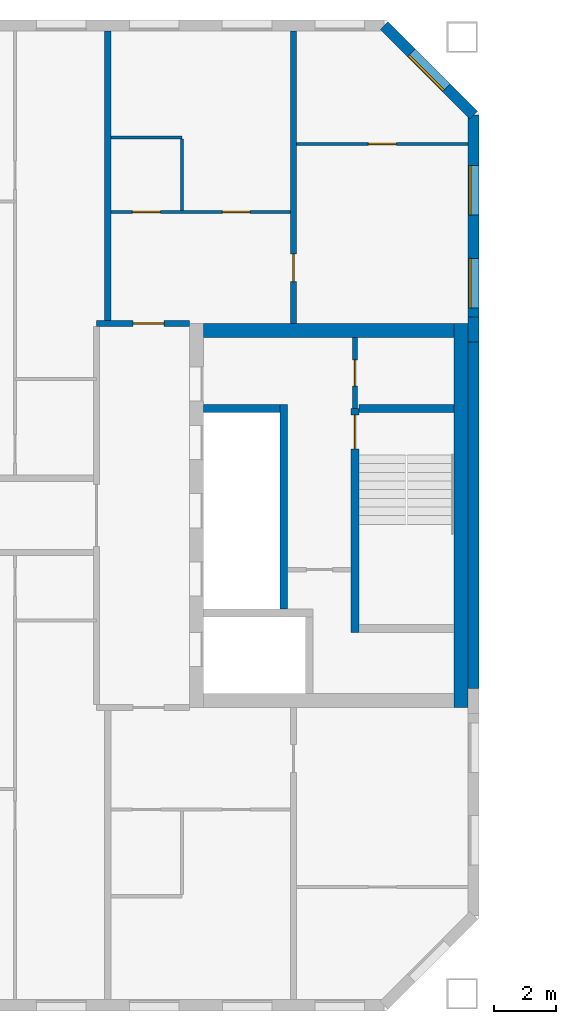
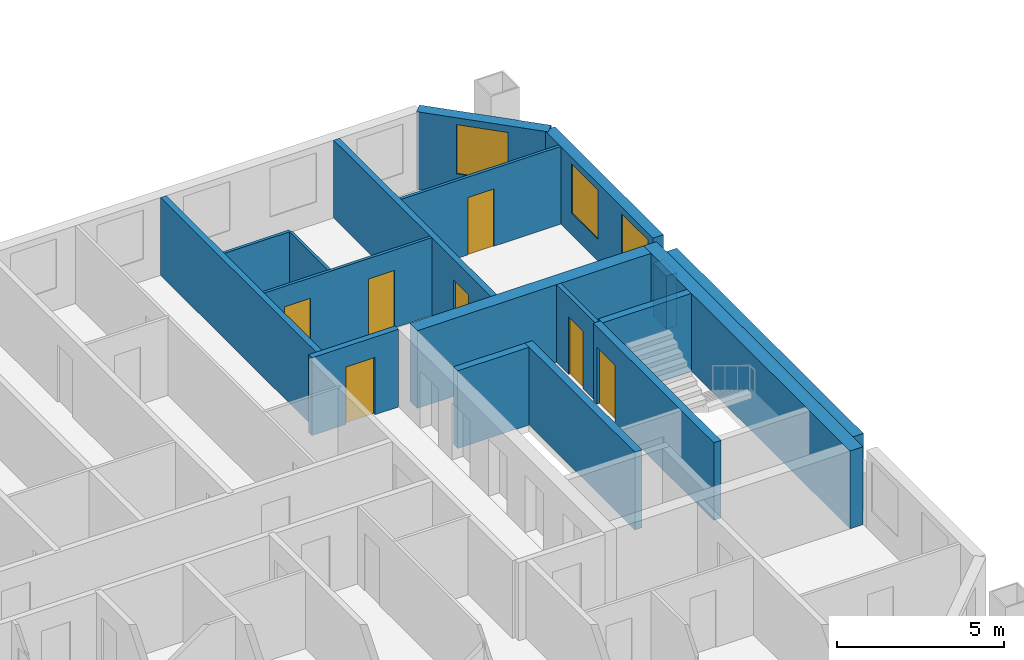
# One storey, part 7 of 15: 18 walls, 7 doors, 3 windows, 10 openings.
"""IFC4 building model written with IfcOpenShell, lengths in metres."""

from ifc_helpers import new_model, si_unit, direction, frame, frame_2d, origin, place, context, subcontext, project, spatial, rectangle, extrude, material, layer, layer_set, type_object, element, fill, save


model = new_model("IFC4")

# Units and contexts
model_context = context("Model", 3, precision=1e-05, world=origin(), true_north=direction((0.0, 1.0)))
body_context = subcontext(model_context, "Body", "Model", "MODEL_VIEW")
ifc_project = project(units=[si_unit("LENGTHUNIT", "METRE"), si_unit("AREAUNIT", "SQUARE_METRE"), si_unit("VOLUMEUNIT", "CUBIC_METRE"), si_unit("PLANEANGLEUNIT", "RADIAN"), si_unit("MASSUNIT", "GRAM", prefix="KILO")], contexts=[model_context])

# Site, building, storey
site_placement = place(None, origin())
site = spatial("IfcSite", under=ifc_project, at=site_placement, CompositionType="ELEMENT")
building_placement = place(site_placement, origin())
building = spatial("IfcBuilding", under=site, at=building_placement, Name="Tuart Gate Housing", CompositionType="ELEMENT")
storey_placement = place(building_placement, frame((0.0, 0.0, 191.300048828125)))
storey = spatial("IfcBuildingStorey", under=building, at=storey_placement, Name="L54", CompositionType="ELEMENT", Elevation=191.300048828125)

# Walls
ifc_material_1 = material(Name="Brick", Category="masonry")
ifc_layer_1 = layer(ifc_material_1, 0.360107421875)
ifc_layer_set_1 = layer_set([ifc_layer_1], Name="Brick pier and spandrel wall 360")
wall_type_1 = type_object("IfcWallType", Name="Brick pier and spandrel wall 360", PredefinedType="STANDARD", material=ifc_layer_set_1)
wall_1_placement = place(storey_placement, frame((75.820068359375, 64.403076171875, 0.0), z_axis=(0.0, 0.0, 1.0), x_axis=(0.0, 1.0, 0.0)))
element("IfcWall", 1, at=wall_1_placement, inside=storey, type_object=wall_type_1, Name="External wall A-E L54", PredefinedType="STANDARD", context=body_context, shape_type="SweptSolid", body=[
    extrude(rectangle(XDim=11.19384765625, YDim=0.360107421875, at=frame_2d((5.596923828125, 0.0))), origin(), (0.0, 0.0, 1.0), 2.849853515625),
])
wall_2_placement = place(storey_placement, frame((75.820068359375, 75.596923828125, 0.0), z_axis=(0.0, 0.0, 1.0), x_axis=(0.0, 1.0, 0.0)))
element("IfcWall", 2, at=wall_2_placement, inside=storey, type_object=wall_type_1, Name="External wall A-E L54", PredefinedType="STANDARD", context=body_context, shape_type="SweptSolid", body=[
    extrude(rectangle(XDim=0.80615234375, YDim=0.360107421875, at=frame_2d((0.403076171875, 0.0))), origin(), (0.0, 0.0, 1.0), 1.947021484375),
])

# Wall, openings, windows
wall_3_placement = place(storey_placement, frame((75.820068359375, 76.403076171875, 0.0), z_axis=(0.0, 0.0, 1.0), x_axis=(0.0, 1.0, 0.0)))
wall_3 = element("IfcWall", 3, at=wall_3_placement, inside=storey, type_object=wall_type_1, Name="External wall A-E L54", PredefinedType="STANDARD", context=body_context, shape_type="SweptSolid", body=[
    extrude(rectangle(XDim=6.5224609375, YDim=0.360107421875, at=frame_2d((3.26123046875, 0.0))), origin(), (0.0, 0.0, 1.0), 2.849853515625),
])
opening_1_placement = place(wall_3_placement, frame((0.297119140625, 0.0, 0.800048828125)))
opening_1 = element("IfcOpeningElement", 4, at=opening_1_placement, cuts=wall_3, Name="Opening W1", PredefinedType="OPENING", context=body_context, shape_type="SweptSolid", body=[
    extrude(rectangle(XDim=1.60009765625, YDim=1.800048828125, at=frame_2d((0.800048828125, 0.89990234375))), frame((0.0, 0.18994140625, 0.0), z_axis=(0.0, -1.0, 0.0), x_axis=(1.0, 0.0, 0.0)), (0.0, 0.0, 1.0), 0.380126953125),
])
opening_2_placement = place(wall_3_placement, frame((3.297119140625, 0.0, 0.800048828125)))
opening_2 = element("IfcOpeningElement", 5, at=opening_2_placement, cuts=wall_3, Name="Opening W1", PredefinedType="OPENING", context=body_context, shape_type="SweptSolid", body=[
    extrude(rectangle(XDim=1.60009765625, YDim=1.800048828125, at=frame_2d((0.800048828125, 0.89990234375))), frame((0.0, 0.18994140625, 0.0), z_axis=(0.0, -1.0, 0.0), x_axis=(1.0, 0.0, 0.0)), (0.0, 0.0, 1.0), 0.380126953125),
])
ifc_material_2 = material(Name="Aluminium frame with clear glass", Category="aluminium")
window_type = type_object("IfcWindowType", Name="Punched window 1600 x 1800", PartitioningType="SINGLE_PANEL", PredefinedType="WINDOW", material=ifc_material_2)
window_1_placement = place(opening_1_placement, origin())
window_1 = element("IfcWindow", 6, at=window_1_placement, inside=storey, type_object=window_type, Name="Window W1", OverallHeight=1.800048828125, OverallWidth=1.60009765625, PartitioningType="SINGLE_PANEL", PredefinedType="WINDOW", context=body_context, shape_type="SweptSolid", body=[
    extrude(rectangle(XDim=1.60009765625, YDim=1.800048828125, at=frame_2d((0.800048828125, 0.89990234375))), frame((0.0, 0.150146484375, 0.0), z_axis=(0.0, -1.0, 0.0), x_axis=(1.0, 0.0, 0.0)), (0.0, 0.0, 1.0), 0.06005859375),
])
fill(opening_1, window_1)
window_2_placement = place(opening_2_placement, origin())
window_2 = element("IfcWindow", 7, at=window_2_placement, inside=storey, type_object=window_type, Name="Window W1", OverallHeight=1.800048828125, OverallWidth=1.60009765625, PartitioningType="SINGLE_PANEL", PredefinedType="WINDOW", context=body_context, shape_type="SweptSolid", body=[
    extrude(rectangle(XDim=1.60009765625, YDim=1.800048828125, at=frame_2d((0.800048828125, 0.89990234375))), frame((0.0, 0.150146484375, 0.0), z_axis=(0.0, -1.0, 0.0), x_axis=(1.0, 0.0, 0.0)), (0.0, 0.0, 1.0), 0.06005859375),
])
fill(opening_2, window_2)

# Wall, opening, window
wall_4_placement = place(storey_placement, frame((75.820068359375, 82.92529296875, 0.0), z_axis=(0.0, 0.0, 1.0), x_axis=(-0.707106781187, 0.707106781187, 0.0)))
wall_4 = element("IfcWall", 8, at=wall_4_placement, inside=storey, type_object=wall_type_1, Name="External wall A-NE L54", PredefinedType="STANDARD", context=body_context, shape_type="SweptSolid", body=[
    extrude(rectangle(XDim=4.09375, YDim=0.360107421875, at=frame_2d((2.046875, 0.0))), origin(), (0.0, 0.0, 1.0), 2.849853515625),
])
opening_3_placement = place(wall_4_placement, frame((1.2470703125, 0.0, 0.800048828125)))
opening_3 = element("IfcOpeningElement", 9, at=opening_3_placement, cuts=wall_4, Name="Opening W1", PredefinedType="OPENING", context=body_context, shape_type="SweptSolid", body=[
    extrude(rectangle(XDim=1.60009765625, YDim=1.800048828125, at=frame_2d((0.800048828125, 0.89990234375))), frame((0.0, 0.18994140625, 0.0), z_axis=(0.0, -1.0, 0.0), x_axis=(1.0, 0.0, 0.0)), (0.0, 0.0, 1.0), 0.380126953125),
])
window_3_placement = place(opening_3_placement, origin())
window_3 = element("IfcWindow", 10, at=window_3_placement, inside=storey, type_object=window_type, Name="Window W1", OverallHeight=1.800048828125, OverallWidth=1.60009765625, PartitioningType="SINGLE_PANEL", PredefinedType="WINDOW", context=body_context, shape_type="SweptSolid", body=[
    extrude(rectangle(XDim=1.60009765625, YDim=1.800048828125, at=frame_2d((0.800048828125, 0.89990234375))), frame((0.0, 0.150146484375, 0.0), z_axis=(0.0, -1.0, 0.0), x_axis=(1.0, 0.0, 0.0)), (0.0, 0.0, 1.0), 0.06005859375),
])
fill(opening_3, window_3)

# Wall, opening, door
ifc_material_3 = material(Name="Plasterboard partition")
ifc_layer_2 = layer(ifc_material_3, 0.14990234375)
ifc_layer_set_2 = layer_set([ifc_layer_2], Name="Core partition 150")
wall_type_2 = type_object("IfcWallType", Name="Core partition 150", PredefinedType="PARTITIONING", material=ifc_layer_set_2)
wall_5_placement = place(storey_placement, frame((71.989990234375, 73.449951171875, 0.0), z_axis=(0.0, 0.0, 1.0), x_axis=(0.0, 1.0, 0.0)))
wall_5 = element("IfcWall", 11, at=wall_5_placement, inside=storey, type_object=wall_type_2, Name="Core partition AG.9", PredefinedType="PARTITIONING", context=body_context, shape_type="SweptSolid", body=[
    extrude(rectangle(XDim=2.300048828125, YDim=0.14990234375, at=frame_2d((1.14990234375, 0.0))), origin(), (0.0, 0.0, 1.0), 2.849853515625),
])
opening_4_placement = place(wall_5_placement, frame((0.72509765625, 0.0, 0.0)))
opening_4 = element("IfcOpeningElement", 12, at=opening_4_placement, cuts=wall_5, Name="Opening D2628", PredefinedType="OPENING", context=body_context, shape_type="SweptSolid", body=[
    extrude(rectangle(XDim=0.85009765625, YDim=2.10009765625, at=frame_2d((0.425048828125, 1.050048828125))), frame((0.0, 0.0849609375, 0.0), z_axis=(0.0, -1.0, 0.0), x_axis=(1.0, 0.0, 0.0)), (0.0, 0.0, 1.0), 0.169921875),
])
ifc_material_4 = material(Name="Steel fire door", Category="steel")
door_type_1 = type_object("IfcDoorType", Name="Service door 850 x 2100 RH", OperationType="SINGLE_SWING_RIGHT", PredefinedType="DOOR", material=ifc_material_4)
door_1_placement = place(opening_4_placement, frame((0.85009765625, 0.0, 0.0), z_axis=(0.0, 0.0, 1.0), x_axis=(-1.0, 0.0, 0.0)))
door_1 = element("IfcDoor", 13, at=door_1_placement, inside=storey, type_object=door_type_1, Name="Service room door AG.ST", OperationType="SINGLE_SWING_RIGHT", OverallHeight=2.10009765625, OverallWidth=0.85009765625, PredefinedType="DOOR", context=body_context, shape_type="SweptSolid", body=[
    extrude(rectangle(XDim=0.85009765625, YDim=2.10009765625, at=frame_2d((0.425048828125, 1.050048828125))), frame((0.0, 0.025146484375, 0.0), z_axis=(0.0, -1.0, 0.0), x_axis=(1.0, 0.0, 0.0)), (0.0, 0.0, 1.0), 0.050048828125),
])
fill(opening_4, door_1)

# Walls
ifc_material_5 = material(Name="Concrete C40", Category="concrete")
ifc_layer_3 = layer(ifc_material_5, 0.25)
ifc_layer_set_3 = layer_set([ifc_layer_3], Name="Core wall 250 C40")
wall_type_3 = type_object("IfcWallType", Name="Core wall 250 C40", PredefinedType="SHEAR", material=ifc_layer_set_3)
wall_6_placement = place(storey_placement, frame((67.090087890625, 73.449951171875, 0.0), z_axis=(0.0, 0.0, 1.0), x_axis=(1.0, 0.0, 0.0)))
element("IfcWall", 14, at=wall_6_placement, inside=storey, type_object=wall_type_3, Name="Core wall AG.4", PredefinedType="SHEAR", context=body_context, shape_type="SweptSolid", body=[
    extrude(rectangle(XDim=2.474853515625, YDim=0.25, at=frame_2d((1.2373046875, 0.0))), origin(), (0.0, 0.0, 1.0), 2.849853515625),
])
wall_7_placement = place(storey_placement, frame((72.114990234375, 73.449951171875, 0.0), z_axis=(0.0, 0.0, 1.0), x_axis=(1.0, 0.0, 0.0)))
element("IfcWall", 15, at=wall_7_placement, inside=storey, type_object=wall_type_3, Name="Core wall AG.5", PredefinedType="SHEAR", context=body_context, shape_type="SweptSolid", body=[
    extrude(rectangle(XDim=3.074951171875, YDim=0.25, at=frame_2d((1.53759765625, 0.0))), origin(), (0.0, 0.0, 1.0), 2.849853515625),
])
wall_8_placement = place(storey_placement, frame((69.68994140625, 66.97509765625, 0.0), z_axis=(0.0, 0.0, 1.0), x_axis=(0.0, 1.0, 0.0)))
element("IfcWall", 16, at=wall_8_placement, inside=storey, type_object=wall_type_3, Name="Core wall AG.6", PredefinedType="SHEAR", context=body_context, shape_type="SweptSolid", body=[
    extrude(rectangle(XDim=6.599853515625, YDim=0.25, at=frame_2d((3.2998046875, 0.0))), origin(), (0.0, 0.0, 1.0), 2.849853515625),
])

# Wall, opening, door
wall_9_placement = place(storey_placement, frame((71.989990234375, 66.22509765625, 0.0), z_axis=(0.0, 0.0, 1.0), x_axis=(0.0, 1.0, 0.0)))
wall_9 = element("IfcWall", 17, at=wall_9_placement, inside=storey, type_object=wall_type_3, Name="Core wall AG.8", PredefinedType="SHEAR", context=body_context, shape_type="SweptSolid", body=[
    extrude(rectangle(XDim=7.224853515625, YDim=0.25, at=frame_2d((3.6123046875, 0.0))), origin(), (0.0, 0.0, 1.0), 2.849853515625),
])
opening_5_placement = place(wall_9_placement, frame((5.925048828125, 0.0, 0.0)))
opening_5 = element("IfcOpeningElement", 18, at=opening_5_placement, cuts=wall_9, Name="Opening D2638", PredefinedType="OPENING", context=body_context, shape_type="SweptSolid", body=[
    extrude(rectangle(XDim=1.10009765625, YDim=2.10009765625, at=frame_2d((0.550048828125, 1.050048828125))), frame((0.0, 0.135009765625, 0.0), z_axis=(0.0, -1.0, 0.0), x_axis=(1.0, 0.0, 0.0)), (0.0, 0.0, 1.0), 0.27001953125),
])
ifc_material_6 = material(Name="Steel fire door", Category="steel")
door_type_2 = type_object("IfcDoorType", Name="Stair door 1100 x 2100", OperationType="SINGLE_SWING_LEFT", PredefinedType="DOOR", material=ifc_material_6)
door_2_placement = place(opening_5_placement, frame((1.10009765625, 0.0, 0.0), z_axis=(0.0, 0.0, 1.0), x_axis=(-1.0, 0.0, 0.0)))
door_2 = element("IfcDoor", 19, at=door_2_placement, inside=storey, type_object=door_type_2, Name="Stair door AG.SD", OperationType="SINGLE_SWING_LEFT", OverallHeight=2.10009765625, OverallWidth=1.10009765625, PredefinedType="DOOR", context=body_context, shape_type="SweptSolid", body=[
    extrude(rectangle(XDim=1.10009765625, YDim=2.10009765625, at=frame_2d((0.550048828125, 1.050048828125))), frame((0.0, 0.025146484375, 0.0), z_axis=(0.0, -1.0, 0.0), x_axis=(1.0, 0.0, 0.0)), (0.0, 0.0, 1.0), 0.050048828125),
])
fill(opening_5, door_2)

# Walls
ifc_material_7 = material(Name="Concrete C40", Category="concrete")
ifc_layer_4 = layer(ifc_material_7, 0.449951171875)
ifc_layer_set_4 = layer_set([ifc_layer_4], Name="Core wall 450 C40")
wall_type_4 = type_object("IfcWallType", Name="Core wall 450 C40", PredefinedType="SHEAR", material=ifc_layer_set_4)
wall_10_placement = place(storey_placement, frame((75.4150390625, 63.800048828125, 0.0), z_axis=(0.0, 0.0, 1.0), x_axis=(0.0, 1.0, 0.0)))
element("IfcWall", 20, at=wall_10_placement, inside=storey, type_object=wall_type_4, Name="Core wall AG back", PredefinedType="SHEAR", context=body_context, shape_type="SweptSolid", body=[
    extrude(rectangle(XDim=12.39990234375, YDim=0.449951171875, at=frame_2d((6.199951171875, 0.0))), origin(), (0.0, 0.0, 1.0), 2.849853515625),
])
wall_11_placement = place(storey_placement, frame((67.090087890625, 75.97509765625, 0.0), z_axis=(0.0, 0.0, 1.0), x_axis=(1.0, 0.0, 0.0)))
element("IfcWall", 21, at=wall_11_placement, inside=storey, type_object=wall_type_4, Name="Core wall AG north", PredefinedType="SHEAR", context=body_context, shape_type="SweptSolid", body=[
    extrude(rectangle(XDim=8.099853515625, YDim=0.449951171875, at=frame_2d((4.0498046875, 0.0))), origin(), (0.0, 0.0, 1.0), 2.849853515625),
])

# Wall, opening, door
ifc_material_8 = material(Name="Concrete masonry 15 MPa", Category="masonry")
ifc_layer_5 = layer(ifc_material_8, 0.199951171875)
ifc_layer_set_5 = layer_set([ifc_layer_5], Name="Enclosure wall masonry 200")
wall_type_5 = type_object("IfcWallType", Name="Enclosure wall masonry 200", PredefinedType="PARTITIONING", material=ifc_layer_set_5)
wall_12_placement = place(storey_placement, frame((63.639892578125, 76.199951171875, 0.0), z_axis=(0.0, 0.0, 1.0), x_axis=(1.0, 0.0, 0.0)))
wall_12 = element("IfcWall", 22, at=wall_12_placement, inside=storey, type_object=wall_type_5, Name="Enclosure wall masonry 200", PredefinedType="PARTITIONING", context=body_context, shape_type="SweptSolid", body=[
    extrude(rectangle(XDim=3.0, YDim=0.199951171875, at=frame_2d((1.5, 0.0))), origin(), (0.0, 0.0, 1.0), 2.849853515625),
])
opening_6_placement = place(wall_12_placement, frame((1.179931640625, 0.0, 0.0)))
opening_6 = element("IfcOpeningElement", 23, at=opening_6_placement, cuts=wall_12, Name="Opening D2627", PredefinedType="OPENING", context=body_context, shape_type="SweptSolid", body=[
    extrude(rectangle(XDim=1.0, YDim=2.10009765625, at=frame_2d((0.5, 1.050048828125))), frame((0.0, 0.10986328125, 0.0), z_axis=(0.0, -1.0, 0.0), x_axis=(1.0, 0.0, 0.0)), (0.0, 0.0, 1.0), 0.219970703125),
])
ifc_material_9 = material(Name="Timber door leaf in steel frame", Category="steel")
door_type_3 = type_object("IfcDoorType", Name="Flat entrance door 1000", OperationType="SINGLE_SWING_LEFT", PredefinedType="DOOR", material=ifc_material_9)
door_3_placement = place(opening_6_placement, origin())
door_3 = element("IfcDoor", 24, at=door_3_placement, inside=storey, type_object=door_type_3, Name="Flat entrance door", OperationType="SINGLE_SWING_LEFT", OverallHeight=2.10009765625, OverallWidth=1.0, PredefinedType="DOOR", context=body_context, shape_type="SweptSolid", body=[
    extrude(rectangle(XDim=1.0, YDim=2.10009765625, at=frame_2d((0.5, 1.050048828125))), frame((0.0, 0.02490234375, 0.0), z_axis=(0.0, -1.0, 0.0), x_axis=(1.0, 0.0, 0.0)), (0.0, 0.0, 1.0), 0.050048828125),
])
fill(opening_6, door_3)

# Wall, openings, doors
ifc_material_10 = material(Name="Gypsum board on steel studs", Category="steel")
ifc_layer_6 = layer(ifc_material_10, 0.10009765625)
ifc_layer_set_6 = layer_set([ifc_layer_6], Name="Partition 100")
wall_type_6 = type_object("IfcWallType", Name="Partition 100", PredefinedType="PARTITIONING", material=ifc_layer_set_6)
wall_13_placement = place(storey_placement, frame((64.10009765625, 79.800048828125, 0.0), z_axis=(0.0, 0.0, 1.0), x_axis=(1.0, 0.0, 0.0)))
wall_13 = element("IfcWall", 25, at=wall_13_placement, inside=storey, type_object=wall_type_6, Name="Partition 100", PredefinedType="PARTITIONING", context=body_context, shape_type="SweptSolid", body=[
    extrude(rectangle(XDim=5.7998046875, YDim=0.10009765625, at=frame_2d((2.89990234375, 0.0))), origin(), (0.0, 0.0, 1.0), 2.849853515625),
])
opening_7_placement = place(wall_13_placement, frame((3.60009765625, 0.0, 0.0)))
opening_7 = element("IfcOpeningElement", 26, at=opening_7_placement, cuts=wall_13, Name="Opening D2614", PredefinedType="OPENING", context=body_context, shape_type="SweptSolid", body=[
    extrude(rectangle(XDim=0.89990234375, YDim=2.10009765625, at=frame_2d((0.449951171875, 1.050048828125))), frame((0.0, 0.06005859375, 0.0), z_axis=(0.0, -1.0, 0.0), x_axis=(1.0, 0.0, 0.0)), (0.0, 0.0, 1.0), 0.1201171875),
])
opening_8_placement = place(wall_13_placement, frame((0.699951171875, 0.0, 0.0)))
opening_8 = element("IfcOpeningElement", 27, at=opening_8_placement, cuts=wall_13, Name="Opening D2613", PredefinedType="OPENING", context=body_context, shape_type="SweptSolid", body=[
    extrude(rectangle(XDim=0.89990234375, YDim=2.10009765625, at=frame_2d((0.449951171875, 1.050048828125))), frame((0.0, 0.06005859375, 0.0), z_axis=(0.0, -1.0, 0.0), x_axis=(1.0, 0.0, 0.0)), (0.0, 0.0, 1.0), 0.1201171875),
])
ifc_material_11 = material(Name="Timber door leaf in steel frame", Category="steel")
door_type_4 = type_object("IfcDoorType", Name="Bathroom door 900 RH", OperationType="SINGLE_SWING_RIGHT", PredefinedType="DOOR", material=ifc_material_11)
door_4_placement = place(opening_8_placement, origin())
door_4 = element("IfcDoor", 28, at=door_4_placement, inside=storey, type_object=door_type_4, Name="Bathroom door", OperationType="SINGLE_SWING_RIGHT", OverallHeight=2.10009765625, OverallWidth=0.89990234375, PredefinedType="DOOR", context=body_context, shape_type="SweptSolid", body=[
    extrude(rectangle(XDim=0.89990234375, YDim=2.10009765625, at=frame_2d((0.449951171875, 1.050048828125))), frame((0.0, 0.02490234375, 0.0), z_axis=(0.0, -1.0, 0.0), x_axis=(1.0, 0.0, 0.0)), (0.0, 0.0, 1.0), 0.050048828125),
])
fill(opening_8, door_4)
ifc_material_12 = material(Name="Timber door leaf in steel frame", Category="steel")
door_type_5 = type_object("IfcDoorType", Name="Internal door 900", OperationType="SINGLE_SWING_LEFT", PredefinedType="DOOR", material=ifc_material_12)
door_5_placement = place(opening_7_placement, origin())
door_5 = element("IfcDoor", 29, at=door_5_placement, inside=storey, type_object=door_type_5, Name="Internal door", OperationType="SINGLE_SWING_LEFT", OverallHeight=2.10009765625, OverallWidth=0.89990234375, PredefinedType="DOOR", context=body_context, shape_type="SweptSolid", body=[
    extrude(rectangle(XDim=0.89990234375, YDim=2.10009765625, at=frame_2d((0.449951171875, 1.050048828125))), frame((0.0, 0.02490234375, 0.0), z_axis=(0.0, -1.0, 0.0), x_axis=(1.0, 0.0, 0.0)), (0.0, 0.0, 1.0), 0.050048828125),
])
fill(opening_7, door_5)

# Wall, opening, door
wall_14_placement = place(storey_placement, frame((70.10009765625, 82.0, 0.0), z_axis=(0.0, 0.0, 1.0), x_axis=(1.0, 0.0, 0.0)))
wall_14 = element("IfcWall", 30, at=wall_14_placement, inside=storey, type_object=wall_type_6, Name="Partition 100", PredefinedType="PARTITIONING", context=body_context, shape_type="SweptSolid", body=[
    extrude(rectangle(XDim=5.539794921875, YDim=0.10009765625, at=frame_2d((2.77001953125, 0.0))), origin(), (0.0, 0.0, 1.0), 2.849853515625),
])
opening_9_placement = place(wall_14_placement, frame((2.320068359375, 0.0, 0.0)))
opening_9 = element("IfcOpeningElement", 31, at=opening_9_placement, cuts=wall_14, Name="Opening D2609", PredefinedType="OPENING", context=body_context, shape_type="SweptSolid", body=[
    extrude(rectangle(XDim=0.89990234375, YDim=2.10009765625, at=frame_2d((0.449951171875, 1.050048828125))), frame((0.0, 0.06005859375, 0.0), z_axis=(0.0, -1.0, 0.0), x_axis=(1.0, 0.0, 0.0)), (0.0, 0.0, 1.0), 0.1201171875),
])
ifc_material_13 = material(Name="Timber door leaf in steel frame", Category="steel")
door_type_6 = type_object("IfcDoorType", Name="Internal door 900 RH", OperationType="SINGLE_SWING_RIGHT", PredefinedType="DOOR", material=ifc_material_13)
door_6_placement = place(opening_9_placement, origin())
door_6 = element("IfcDoor", 32, at=door_6_placement, inside=storey, type_object=door_type_6, Name="Internal door", OperationType="SINGLE_SWING_RIGHT", OverallHeight=2.10009765625, OverallWidth=0.89990234375, PredefinedType="DOOR", context=body_context, shape_type="SweptSolid", body=[
    extrude(rectangle(XDim=0.89990234375, YDim=2.10009765625, at=frame_2d((0.449951171875, 1.050048828125))), frame((0.0, 0.02490234375, 0.0), z_axis=(0.0, -1.0, 0.0), x_axis=(1.0, 0.0, 0.0)), (0.0, 0.0, 1.0), 0.050048828125),
])
fill(opening_9, door_6)

# Walls
for number, where, z_axis, x_axis, name in (
    (33, (64.10009765625, 82.199951171875, 0.0), (0.0, 0.0, 1.0), (1.0, 0.0, 0.0), "Partition 100"),
    (34, (66.39990234375, 79.85009765625, 0.0), (0.0, 0.0, 1.0), (0.0, 1.0, 0.0), "Partition 100"),
):
    element("IfcWall", number, at=place(storey_placement, frame(where, z_axis=z_axis, x_axis=x_axis)), inside=storey, type_object=wall_type_6, Name=name, PredefinedType="PARTITIONING", context=body_context, shape_type="SweptSolid", body=[
        extrude(rectangle(XDim=2.2998046875, YDim=0.10009765625, at=frame_2d((1.14990234375, 0.0))), origin(), (0.0, 0.0, 1.0), 2.849853515625),
    ])
ifc_material_14 = material(Name="Concrete C40", Category="concrete")
ifc_layer_7 = layer(ifc_material_14, 0.199951171875)
ifc_layer_set_7 = layer_set([ifc_layer_7], Name="Party wall concrete C40 200")
wall_type_7 = type_object("IfcWallType", Name="Party wall concrete C40 200", PredefinedType="SOLIDWALL", material=ifc_layer_set_7)
wall_15_placement = place(storey_placement, frame((64.0, 76.199951171875, 0.0), z_axis=(0.0, 0.0, 1.0), x_axis=(0.0, 1.0, 0.0)))
element("IfcWall", 35, at=wall_15_placement, inside=storey, type_object=wall_type_7, Name="Party wall concrete C40 200", PredefinedType="SOLIDWALL", context=body_context, shape_type="SweptSolid", body=[
    extrude(rectangle(XDim=9.43994140625, YDim=0.199951171875, at=frame_2d((4.719970703125, 0.0))), origin(), (0.0, 0.0, 1.0), 2.849853515625),
])

# Wall, opening, door
wall_16_placement = place(storey_placement, frame((70.0, 76.199951171875, 0.0), z_axis=(0.0, 0.0, 1.0), x_axis=(0.0, 1.0, 0.0)))
wall_16 = element("IfcWall", 36, at=wall_16_placement, inside=storey, type_object=wall_type_7, Name="Party wall concrete C40 200", PredefinedType="SOLIDWALL", context=body_context, shape_type="SweptSolid", body=[
    extrude(rectangle(XDim=9.43994140625, YDim=0.199951171875, at=frame_2d((4.719970703125, 0.0))), origin(), (0.0, 0.0, 1.0), 2.849853515625),
])
opening_10_placement = place(wall_16_placement, frame((1.35009765625, 0.0, 0.0)))
opening_10 = element("IfcOpeningElement", 37, at=opening_10_placement, cuts=wall_16, Name="Opening D2610", PredefinedType="OPENING", context=body_context, shape_type="SweptSolid", body=[
    extrude(rectangle(XDim=0.89990234375, YDim=2.10009765625, at=frame_2d((0.449951171875, 1.050048828125))), frame((0.0, 0.10986328125, 0.0), z_axis=(0.0, -1.0, 0.0), x_axis=(1.0, 0.0, 0.0)), (0.0, 0.0, 1.0), 0.219970703125),
])
door_7_placement = place(opening_10_placement, origin())
door_7 = element("IfcDoor", 38, at=door_7_placement, inside=storey, type_object=door_type_5, Name="Internal door", OperationType="SINGLE_SWING_LEFT", OverallHeight=2.10009765625, OverallWidth=0.89990234375, PredefinedType="DOOR", context=body_context, shape_type="SweptSolid", body=[
    extrude(rectangle(XDim=0.89990234375, YDim=2.10009765625, at=frame_2d((0.449951171875, 1.050048828125))), frame((0.0, 0.02490234375, 0.0), z_axis=(0.0, -1.0, 0.0), x_axis=(1.0, 0.0, 0.0)), (0.0, 0.0, 1.0), 0.050048828125),
])
fill(opening_10, door_7)

save(model, "model.ifc")
